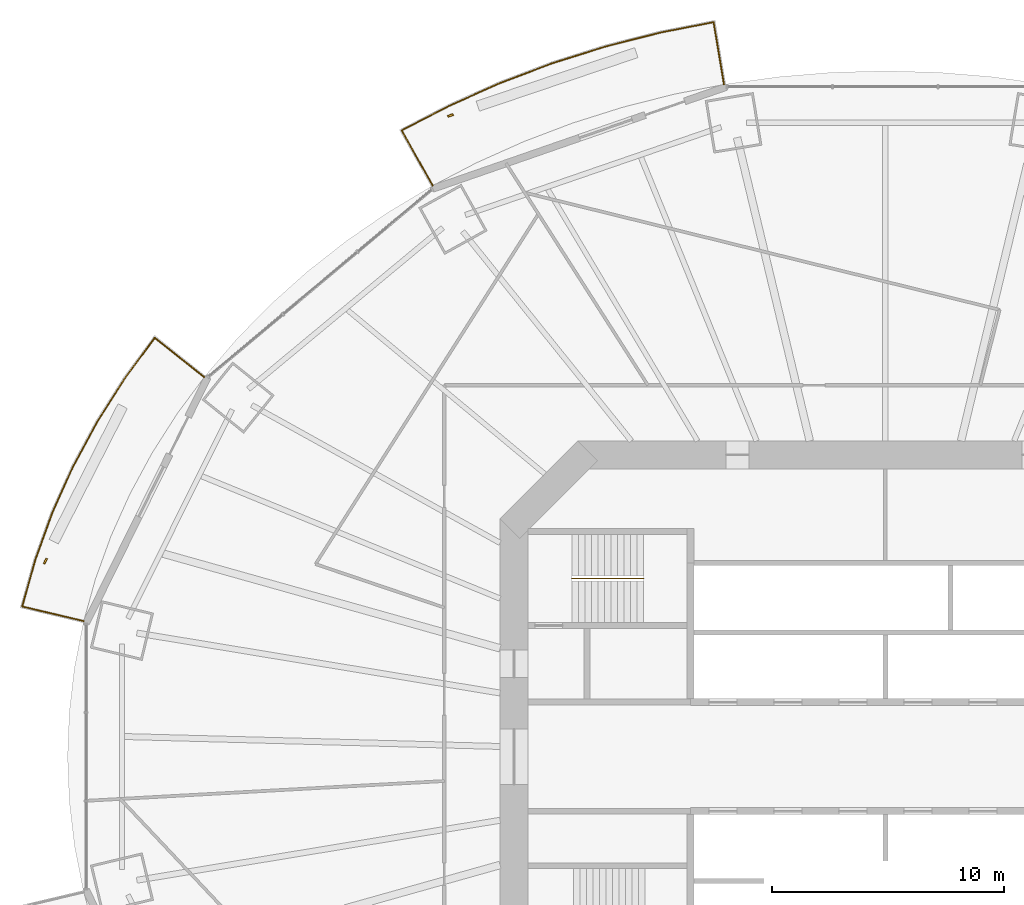
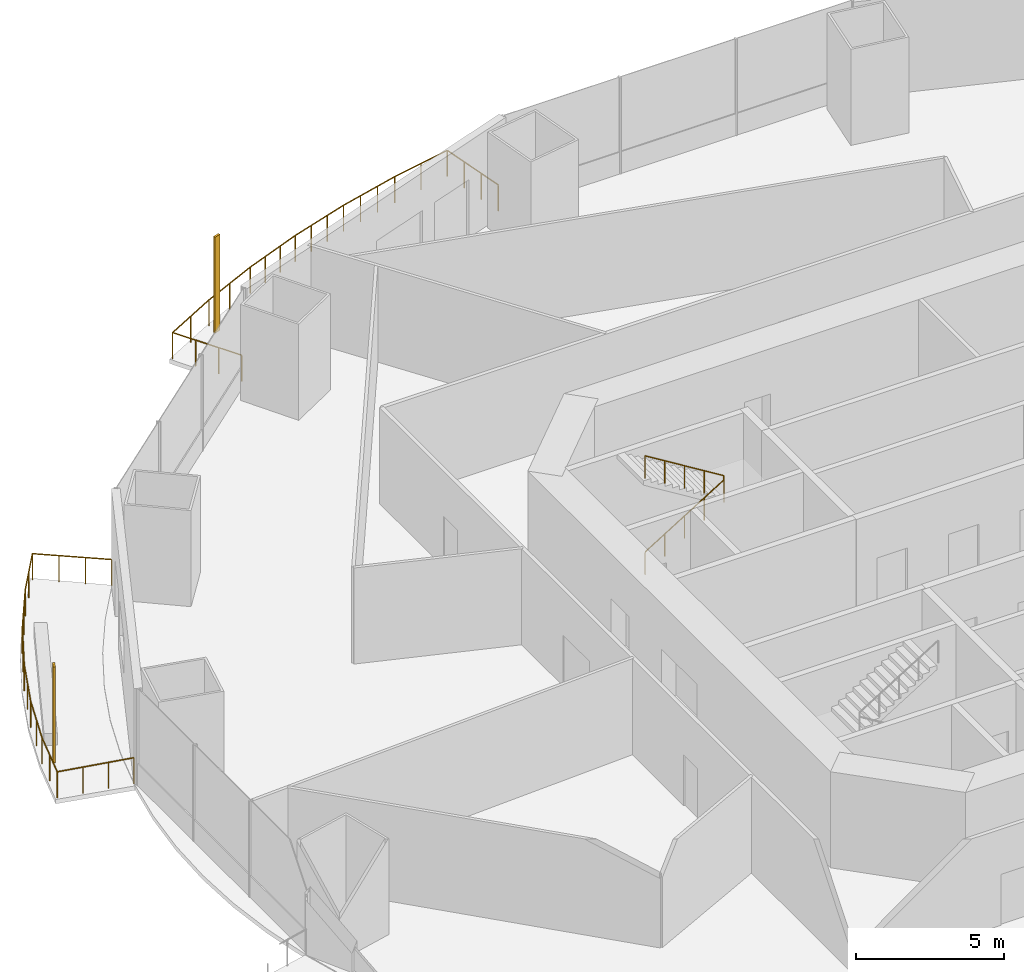
# One storey, part 19 of 22: 3 railings, 2 shading devices.
"""IFC4 building model written with IfcOpenShell, lengths in metres."""

from ifc_helpers import new_model, si_unit, direction, frame, origin, origin_2d, place, context, subcontext, project, spatial, rectangle, circle, extrude, material, material_profile, profile_set, type_object, element, save


model = new_model("IFC4")

# Units and contexts
model_context = context("Model", 3, precision=1e-05, world=origin(), true_north=direction((0.0, 1.0)))
body_context = subcontext(model_context, "Body", "Model", "MODEL_VIEW")
ifc_project = project(units=[si_unit("LENGTHUNIT", "METRE"), si_unit("AREAUNIT", "SQUARE_METRE"), si_unit("VOLUMEUNIT", "CUBIC_METRE"), si_unit("PLANEANGLEUNIT", "RADIAN"), si_unit("MASSUNIT", "GRAM", prefix="KILO")], contexts=[model_context])

# Site, building, storey
site_placement = place(None, origin())
site = spatial("IfcSite", under=ifc_project, at=site_placement, CompositionType="ELEMENT")
building_placement = place(site_placement, origin())
building = spatial("IfcBuilding", under=site, at=building_placement, Name="Marenthal Gate Tower", CompositionType="ELEMENT")
storey_placement = place(building_placement, frame((0.0, 0.0, 86.949951171875)))
storey = spatial("IfcBuildingStorey", under=building, at=storey_placement, Name="L17", CompositionType="ELEMENT", Elevation=86.949951171875)

# Railings
ifc_material_1 = material(Name="Stainless steel", Category="steel")
railing_type_1 = type_object("IfcRailingType", Name="Balcony guard 1100", PredefinedType="GUARDRAIL", material=ifc_material_1)
railing_1_placement = place(storey_placement, frame((-19.50341796875, 24.59912109375, 0.0)))
element("IfcRailing", 1, at=railing_1_placement, inside=storey, type_object=railing_type_1, Name="Balcony guard L17 bay 5", PredefinedType="GUARDRAIL", context=body_context, shape_type="SweptSolid", body=[
    extrude(circle(Radius=0.02392578125, at=origin_2d()), frame((0.0, 0.0, 1.076171875), z_axis=(-0.489023148101, 0.872146623829, -0.01471825955), x_axis=(-0.872241104505, -0.489076124557, 0.0)), (0.0, 0.0, 1.0), 2.720458984375),
    extrude(circle(Radius=0.02392578125, at=origin_2d()), frame((-1.330322265625, 2.37255859375, 1.0361328125), z_axis=(0.887216801235, 0.461352736642, 0.0), x_axis=(-0.461352736642, 0.887216801235, 0.0)), (0.0, 0.0, 1.0), 2.290771484375),
    extrude(circle(Radius=0.02392578125, at=origin_2d()), frame((0.7021484375, 3.429443359375, 1.0361328125), z_axis=(0.912542222384, 0.408982508631, 0.0), x_axis=(-0.408982508631, 0.912542222384, 0.0)), (0.0, 0.0, 1.0), 2.3876953125),
    extrude(circle(Radius=0.02392578125, at=origin_2d()), frame((2.881103515625, 4.406005859375, 1.0361328125), z_axis=(0.934801116304, 0.355171610573, 0.0), x_axis=(-0.355171610573, 0.934801116304, 0.0)), (0.0, 0.0, 1.0), 2.40380859375),
    extrude(circle(Radius=0.02392578125, at=origin_2d()), frame((5.128173828125, 5.259765625, 1.0361328125), z_axis=(0.953649791478, 0.300918718616, 0.0), x_axis=(-0.300918718616, 0.953649791478, 0.0)), (0.0, 0.0, 1.0), 2.417724609375),
    extrude(circle(Radius=0.02392578125, at=origin_2d()), frame((7.433837890625, 5.9873046875, 1.0361328125), z_axis=(0.969141273658, 0.246505966848, 0.0), x_axis=(-0.246505966848, 0.969141273658, 0.0)), (0.0, 0.0, 1.0), 2.429443359375),
    extrude(circle(Radius=0.02392578125, at=origin_2d()), frame((9.788330078125, 6.586181640625, 1.0361328125), z_axis=(0.981243578155, 0.19277199052, 0.0), x_axis=(-0.19277199052, 0.981243578155, 0.0)), (0.0, 0.0, 1.0), 2.359375),
    extrude(circle(Radius=0.02392578125, at=origin_2d()), frame((12.103515625, 7.041015625, 1.0361328125), z_axis=(0.164599482451, -0.986250661205, 0.014718819587), x_axis=(0.986357511038, 0.164617315064, 0.0)), (0.0, 0.0, 1.0), 2.72021484375),
    extrude(circle(Radius=0.02099609375, at=origin_2d()), origin(), (0.0, 0.0, 1.0), 1.052001953125),
    extrude(circle(Radius=0.02099609375, at=origin_2d()), frame((-0.443359375, 0.790771484375, -0.013427734375)), (0.0, 0.0, 1.0), 1.052001953125),
    extrude(circle(Radius=0.02099609375, at=origin_2d()), frame((-0.886962890625, 1.581787109375, -0.026611328125)), (0.0, 0.0, 1.0), 1.052001953125),
    extrude(circle(Radius=0.02099609375, at=origin_2d()), frame((-1.330322265625, 2.37255859375, -0.0400390625)), (0.0, 0.0, 1.0), 1.052001953125),
    extrude(circle(Radius=0.02099609375, at=origin_2d()), frame((-0.31396484375, 2.90087890625, -0.0400390625)), (0.0, 0.0, 1.0), 1.052001953125),
    extrude(circle(Radius=0.02099609375, at=origin_2d()), frame((0.7021484375, 3.429443359375, -0.0400390625)), (0.0, 0.0, 1.0), 1.052001953125),
    extrude(circle(Radius=0.02099609375, at=origin_2d()), frame((1.79150390625, 3.917724609375, -0.0400390625)), (0.0, 0.0, 1.0), 1.052001953125),
    extrude(circle(Radius=0.02099609375, at=origin_2d()), frame((2.881103515625, 4.406005859375, -0.0400390625)), (0.0, 0.0, 1.0), 1.052001953125),
    extrude(circle(Radius=0.02099609375, at=origin_2d()), frame((3.630126953125, 4.690673828125, -0.0400390625)), (0.0, 0.0, 1.0), 1.052001953125),
    extrude(circle(Radius=0.02099609375, at=origin_2d()), frame((4.379150390625, 4.97509765625, -0.0400390625)), (0.0, 0.0, 1.0), 1.052001953125),
    extrude(circle(Radius=0.02099609375, at=origin_2d()), frame((5.128173828125, 5.259765625, -0.0400390625)), (0.0, 0.0, 1.0), 1.052001953125),
    extrude(circle(Radius=0.02099609375, at=origin_2d()), frame((5.896728515625, 5.502197265625, -0.0400390625)), (0.0, 0.0, 1.0), 1.052001953125),
    extrude(circle(Radius=0.02099609375, at=origin_2d()), frame((6.665283203125, 5.744873046875, -0.0400390625)), (0.0, 0.0, 1.0), 1.052001953125),
    extrude(circle(Radius=0.02099609375, at=origin_2d()), frame((7.433837890625, 5.9873046875, -0.0400390625)), (0.0, 0.0, 1.0), 1.052001953125),
    extrude(circle(Radius=0.02099609375, at=origin_2d()), frame((8.21875, 6.18701171875, -0.0400390625)), (0.0, 0.0, 1.0), 1.052001953125),
    extrude(circle(Radius=0.02099609375, at=origin_2d()), frame((9.00341796875, 6.386474609375, -0.0400390625)), (0.0, 0.0, 1.0), 1.052001953125),
    extrude(circle(Radius=0.02099609375, at=origin_2d()), frame((9.788330078125, 6.586181640625, -0.0400390625)), (0.0, 0.0, 1.0), 1.052001953125),
    extrude(circle(Radius=0.02099609375, at=origin_2d()), frame((10.94580078125, 6.8134765625, -0.0400390625)), (0.0, 0.0, 1.0), 1.052001953125),
    extrude(circle(Radius=0.02099609375, at=origin_2d()), frame((12.103515625, 7.041015625, -0.0400390625)), (0.0, 0.0, 1.0), 1.052001953125),
    extrude(circle(Radius=0.02099609375, at=origin_2d()), frame((12.252685546875, 6.146728515625, -0.026611328125)), (0.0, 0.0, 1.0), 1.052001953125),
    extrude(circle(Radius=0.02099609375, at=origin_2d()), frame((12.402099609375, 5.25244140625, -0.013427734375)), (0.0, 0.0, 1.0), 1.052001953125),
    extrude(circle(Radius=0.02099609375, at=origin_2d()), frame((12.55126953125, 4.358154296875, 0.0)), (0.0, 0.0, 1.0), 1.052001953125),
])
railing_2_placement = place(storey_placement, frame((-34.53564453125, 5.84033203125, 0.0)))
element("IfcRailing", 2, at=railing_2_placement, inside=storey, type_object=railing_type_1, Name="Balcony guard L17 bay 7", PredefinedType="GUARDRAIL", context=body_context, shape_type="SweptSolid", body=[
    extrude(circle(Radius=0.02392578125, at=origin_2d()), frame((0.0, 0.0, 1.076171875), z_axis=(-0.972921871805, 0.230665056323, -0.014719482193), x_axis=(-0.230690048693, -0.973027287096, 0.0)), (0.0, 0.0, 1.0), 2.72021484375),
    extrude(circle(Radius=0.02392578125, at=origin_2d()), frame((-2.646484375, 0.62744140625, 1.0361328125), z_axis=(0.269294922849, 0.963057757628, 0.0), x_axis=(-0.963057757628, 0.269294922849, 0.0)), (0.0, 0.0, 1.0), 2.08154296875),
    extrude(circle(Radius=0.02392578125, at=origin_2d()), frame((-2.0859375, 2.632080078125, 1.0361328125), z_axis=(0.340172038454, 0.940363219322, 0.0), x_axis=(-0.940363219322, 0.340172038454, 0.0)), (0.0, 0.0, 1.0), 2.171630859375),
    extrude(circle(Radius=0.02392578125, at=origin_2d()), frame((-1.34716796875, 4.67431640625, 1.0361328125), z_axis=(0.409495490191, 0.912312141492, 0.0), x_axis=(-0.912312141492, 0.409495490191, 0.0)), (0.0, 0.0, 1.0), 2.1845703125),
    extrude(circle(Radius=0.02392578125, at=origin_2d()), frame((-0.45263671875, 6.667236328125, 1.0361328125), z_axis=(0.475449699906, 0.879742907251, 0.0), x_axis=(-0.879742907251, 0.475449699906, 0.0)), (0.0, 0.0, 1.0), 2.19921875),
    extrude(circle(Radius=0.02392578125, at=origin_2d()), frame((0.593017578125, 8.60205078125, 1.0361328125), z_axis=(0.537495639062, 0.843266528442, 0.0), x_axis=(-0.843266528442, 0.537495639062, 0.0)), (0.0, 0.0, 1.0), 2.215576171875),
    extrude(circle(Radius=0.02392578125, at=origin_2d()), frame((1.783935546875, 10.470458984375, 1.0361328125), z_axis=(0.594617358606, 0.804008828835, 0.0), x_axis=(-0.804008828835, 0.594617358606, 0.0)), (0.0, 0.0, 1.0), 2.153564453125),
    extrude(circle(Radius=0.02392578125, at=origin_2d()), frame((3.064453125, 12.201904296875, 1.0361328125), z_axis=(0.782218085053, -0.62283082954, 0.014718192514), x_axis=(0.622898300926, 0.782302822892, 0.0)), (0.0, 0.0, 1.0), 2.720458984375),
    extrude(circle(Radius=0.02099609375, at=origin_2d()), origin(), (0.0, 0.0, 1.0), 1.052001953125),
    extrude(circle(Radius=0.02099609375, at=origin_2d()), frame((-0.882080078125, 0.209228515625, -0.013427734375)), (0.0, 0.0, 1.0), 1.052001953125),
    extrude(circle(Radius=0.02099609375, at=origin_2d()), frame((-1.764404296875, 0.418212890625, -0.026611328125)), (0.0, 0.0, 1.0), 1.052001953125),
    extrude(circle(Radius=0.02099609375, at=origin_2d()), frame((-2.646484375, 0.62744140625, -0.0400390625)), (0.0, 0.0, 1.0), 1.052001953125),
    extrude(circle(Radius=0.02099609375, at=origin_2d()), frame((-2.3662109375, 1.6298828125, -0.0400390625)), (0.0, 0.0, 1.0), 1.052001953125),
    extrude(circle(Radius=0.02099609375, at=origin_2d()), frame((-2.0859375, 2.632080078125, -0.0400390625)), (0.0, 0.0, 1.0), 1.052001953125),
    extrude(circle(Radius=0.02099609375, at=origin_2d()), frame((-1.716552734375, 3.6533203125, -0.0400390625)), (0.0, 0.0, 1.0), 1.052001953125),
    extrude(circle(Radius=0.02099609375, at=origin_2d()), frame((-1.34716796875, 4.67431640625, -0.0400390625)), (0.0, 0.0, 1.0), 1.052001953125),
    extrude(circle(Radius=0.02099609375, at=origin_2d()), frame((-0.89990234375, 5.6708984375, -0.0400390625)), (0.0, 0.0, 1.0), 1.052001953125),
    extrude(circle(Radius=0.02099609375, at=origin_2d()), frame((-0.45263671875, 6.667236328125, -0.0400390625)), (0.0, 0.0, 1.0), 1.052001953125),
    extrude(circle(Radius=0.02099609375, at=origin_2d()), frame((0.0703125, 7.634765625, -0.0400390625)), (0.0, 0.0, 1.0), 1.052001953125),
    extrude(circle(Radius=0.02099609375, at=origin_2d()), frame((0.593017578125, 8.60205078125, -0.0400390625)), (0.0, 0.0, 1.0), 1.052001953125),
    extrude(circle(Radius=0.02099609375, at=origin_2d()), frame((1.1884765625, 9.5361328125, -0.0400390625)), (0.0, 0.0, 1.0), 1.052001953125),
    extrude(circle(Radius=0.02099609375, at=origin_2d()), frame((1.783935546875, 10.470458984375, -0.0400390625)), (0.0, 0.0, 1.0), 1.052001953125),
    extrude(circle(Radius=0.02099609375, at=origin_2d()), frame((2.42431640625, 11.336181640625, -0.0400390625)), (0.0, 0.0, 1.0), 1.052001953125),
    extrude(circle(Radius=0.02099609375, at=origin_2d()), frame((3.064453125, 12.201904296875, -0.0400390625)), (0.0, 0.0, 1.0), 1.052001953125),
    extrude(circle(Radius=0.02099609375, at=origin_2d()), frame((3.773681640625, 11.63720703125, -0.026611328125)), (0.0, 0.0, 1.0), 1.052001953125),
    extrude(circle(Radius=0.02099609375, at=origin_2d()), frame((4.483154296875, 11.072265625, -0.013427734375)), (0.0, 0.0, 1.0), 1.052001953125),
    extrude(circle(Radius=0.02099609375, at=origin_2d()), frame((5.1923828125, 10.507568359375, 0.0)), (0.0, 0.0, 1.0), 1.052001953125),
])
ifc_material_2 = material(Name="Stainless steel", Category="steel")
railing_type_2 = type_object("IfcRailingType", Name="Stair handrail", PredefinedType="HANDRAIL", material=ifc_material_2)
railing_3_placement = place(storey_placement, frame((-13.5, 7.675048828125, 0.1728515625)))
element("IfcRailing", 3, at=railing_3_placement, inside=storey, type_object=railing_type_2, Name="Handrail ST1", PredefinedType="HANDRAIL", context=body_context, shape_type="SweptSolid", body=[
    extrude(circle(Radius=0.0224609375, at=origin_2d()), frame((0.0, 0.0, 0.927490234375), z_axis=(0.850835241893, 0.0, 0.525432575268), x_axis=(0.0, 1.0, 0.0)), (0.0, 0.0, 1.0), 3.6201171875),
    extrude(circle(Radius=0.0224609375, at=origin_2d()), frame((3.080078125, 0.0, 2.82958984375), z_axis=(0.0, 0.0, 1.0), x_axis=(1.0, 0.0, 0.0)), (0.0, 0.0, 1.0), 0.173095703125),
    extrude(circle(Radius=0.0224609375, at=origin_2d()), frame((3.080078125, 0.0, 3.002685546875), z_axis=(-0.850835241893, 0.0, 0.525432575268), x_axis=(0.0, -1.0, 0.0)), (0.0, 0.0, 1.0), 3.6201171875),
    extrude(circle(Radius=0.02001953125, at=origin_2d()), origin(), (0.0, 0.0, 1.0), 0.905029296875),
    extrude(circle(Radius=0.02001953125, at=origin_2d()), frame((0.77001953125, 0.0, 0.4755859375)), (0.0, 0.0, 1.0), 0.905029296875),
    extrude(circle(Radius=0.02001953125, at=origin_2d()), frame((1.5400390625, 0.0, 0.951171875)), (0.0, 0.0, 1.0), 0.905029296875),
    extrude(circle(Radius=0.02001953125, at=origin_2d()), frame((2.31005859375, 0.0, 1.426513671875)), (0.0, 0.0, 1.0), 0.905029296875),
    extrude(circle(Radius=0.02001953125, at=origin_2d()), frame((3.080078125, 0.0, 1.902099609375)), (0.0, 0.0, 1.0), 0.905029296875),
    extrude(circle(Radius=0.02001953125, at=origin_2d()), frame((3.080078125, 0.0, 2.0751953125)), (0.0, 0.0, 1.0), 0.905029296875),
    extrude(circle(Radius=0.02001953125, at=origin_2d()), frame((2.31005859375, 0.0, 2.55078125)), (0.0, 0.0, 1.0), 0.905029296875),
    extrude(circle(Radius=0.02001953125, at=origin_2d()), frame((1.5400390625, 0.0, 3.0263671875)), (0.0, 0.0, 1.0), 0.905029296875),
    extrude(circle(Radius=0.02001953125, at=origin_2d()), frame((0.77001953125, 0.0, 3.501708984375)), (0.0, 0.0, 1.0), 0.905029296875),
    extrude(circle(Radius=0.02001953125, at=origin_2d()), frame((0.0, 0.0, 3.977294921875)), (0.0, 0.0, 1.0), 0.905029296875),
])

# Shading devices
ifc_material_3 = material(Name="Terracotta", Category="masonry")
ifc_material_profile = material_profile(ifc_material_3, rectangle(XDim=0.25, YDim=0.080078125, at=origin_2d()), Name="Terracotta baguette 250x80")
ifc_profile_set = profile_set([ifc_material_profile], Name="Terracotta")
shading_device_type = type_object("IfcShadingDeviceType", Name="Terracotta BAGUETTE SCREEN 250x80", PredefinedType="USERDEFINED", material=ifc_profile_set)
for number, where, z_axis, x_axis, name in (
    (4, (-18.7353515625, 27.6201171875, -0.0400390625), (0.0, 0.0, 1.0), (-0.944634232614, -0.328125230017, 0.0), "Terracotta BAGUETTE L17 bay 5R"),
    (5, (-36.182373046875, 8.421630859375, -0.0400390625), (0.0, 0.0, 1.0), (-0.442860405886, -0.896590575959, 0.0), "Terracotta BAGUETTE L17 bay 7R"),
):
    element("IfcShadingDevice", number, at=place(storey_placement, frame(where, z_axis=z_axis, x_axis=x_axis)), inside=storey, type_object=shading_device_type, Name=name, ObjectType="BAGUETTE SCREEN", PredefinedType="USERDEFINED", context=body_context, shape_type="SweptSolid", body=[
        extrude(rectangle(XDim=0.25, YDim=0.080078125, at=origin_2d()), origin(), (0.0, 0.0, 1.0), 3.969970703125),
    ])

save(model, "model.ifc")
